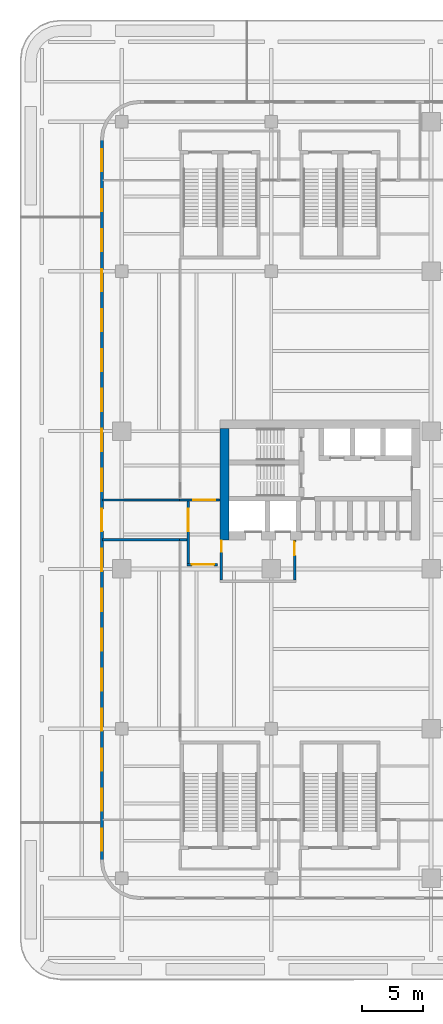
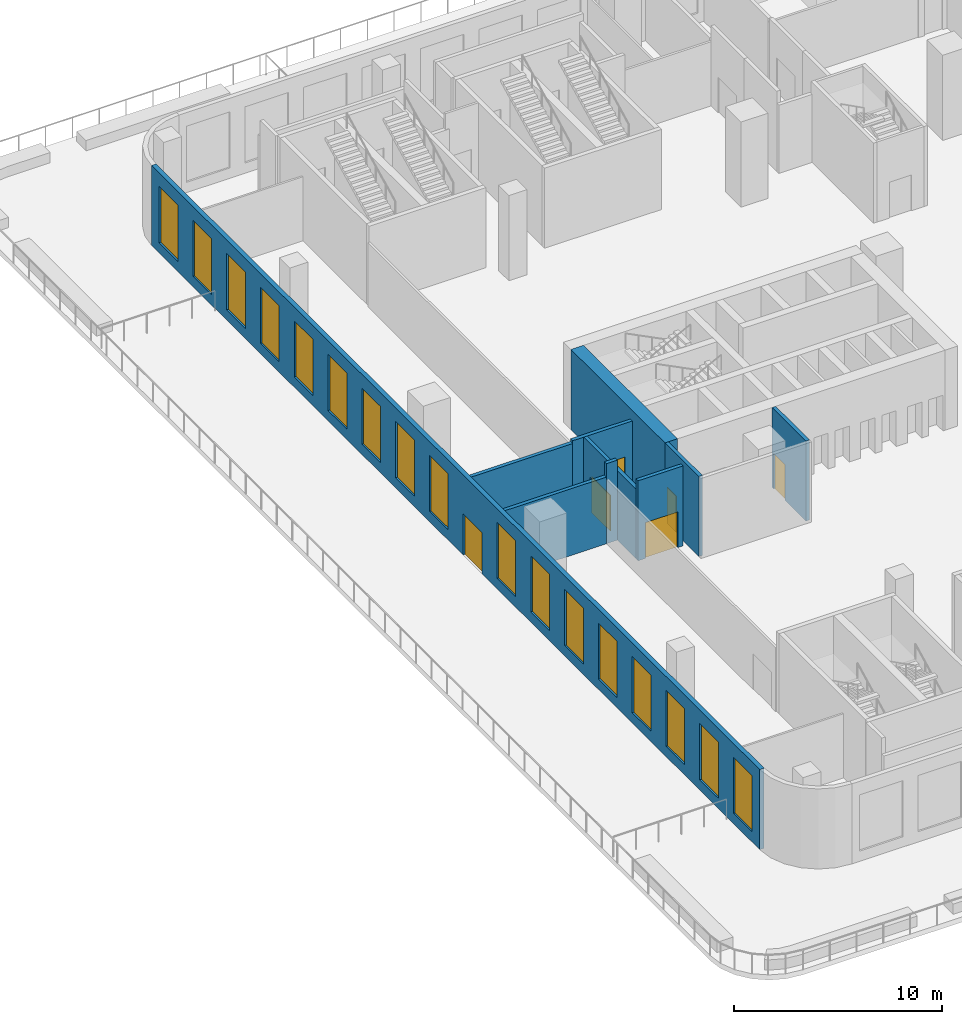
# One storey, part 8 of 17: 17 windows, 10 walls, 6 doors, 23 openings.
"""IFC4 building model written with IfcOpenShell, lengths in metres."""

from ifc_helpers import new_model, si_unit, direction, frame, frame_2d, origin, place, context, subcontext, project, spatial, rectangle, extrude, source, transform, mapped, material, layer, layer_set, type_object, element, fill, save


model = new_model("IFC4")

# Units and contexts
model_context = context("Model", 3, precision=1e-05, world=origin(), true_north=direction((0.0, 1.0)))
body_context = subcontext(model_context, "Body", "Model", "MODEL_VIEW")
ifc_project = project(units=[si_unit("LENGTHUNIT", "METRE"), si_unit("AREAUNIT", "SQUARE_METRE"), si_unit("VOLUMEUNIT", "CUBIC_METRE"), si_unit("PLANEANGLEUNIT", "RADIAN"), si_unit("MASSUNIT", "GRAM", prefix="KILO")], contexts=[model_context])

# Site, building, storey
site_placement = place(None, origin())
site = spatial("IfcSite", under=ifc_project, at=site_placement, CompositionType="ELEMENT")
building_placement = place(site_placement, origin())
building = spatial("IfcBuilding", under=site, at=building_placement, Name="Trellis Farm Tower", CompositionType="ELEMENT")
storey_placement = place(building_placement, frame((0.0, 0.0, 24.0)))
storey = spatial("IfcBuildingStorey", under=building, at=storey_placement, Name="L04", CompositionType="ELEMENT", Elevation=24.0)

# Wall
ifc_material_1 = material(Name="Concrete C80/95", Category="concrete")
ifc_layer_1 = layer(ifc_material_1, 0.699951171875)
ifc_layer_set_1 = layer_set([ifc_layer_1], Name="CORE OUTER WALL 700 CONCRETE C80/95")
wall_type_1 = type_object("IfcWallType", Name="CORE OUTER WALL 700 CONCRETE C80/95", PredefinedType="SHEAR", material=ifc_layer_set_1)
shared_shape_1 = source(origin(), body_context, "Body", "SweptSolid", [
    extrude(rectangle(XDim=9.050048828125, YDim=0.699951171875, at=frame_2d((4.52490234375, 0.0))), origin(), (0.0, 0.0, 1.0), 4.699951171875),
])
wall_1_placement = place(storey_placement, frame((-22.39990234375, 5.800048828125, 0.0), z_axis=(0.0, 0.0, 1.0), x_axis=(0.0, -1.0, 0.0)))
element("IfcWall", 1, at=wall_1_placement, inside=storey, type_object=wall_type_1, Name="Core wall", PredefinedType="SHEAR", context=body_context, shape_type="MappedRepresentation", body=[
    mapped(shared_shape_1, transform((0.0, 0.0, 0.0))),
])

# Wall, opening, door
ifc_material_2 = material(Name="Masonry blockwork", Category="masonry")
ifc_layer_2 = layer(ifc_material_2, 0.199951171875)
ifc_layer_set_2 = layer_set([ifc_layer_2], Name="FIRE LOBBY PARTITION 200 BLOCKWORK")
wall_type_2 = type_object("IfcWallType", Name="FIRE LOBBY PARTITION 200 BLOCKWORK", PredefinedType="PARTITIONING", material=ifc_layer_set_2)
shared_shape_2 = source(origin(), body_context, "Body", "SweptSolid", [
    extrude(rectangle(XDim=3.25, YDim=0.199951171875, at=frame_2d((1.625, 0.0))), origin(), (0.0, 0.0, 1.0), 4.699951171875),
])
wall_2_placement = place(storey_placement, frame((-16.699951171875, -3.25, 0.0), z_axis=(0.0, 0.0, 1.0), x_axis=(0.0, -1.0, 0.0)))
wall_2 = element("IfcWall", 2, at=wall_2_placement, inside=storey, type_object=wall_type_2, Name="Fire-fighting lobby partition", PredefinedType="PARTITIONING", context=body_context, shape_type="MappedRepresentation", body=[
    mapped(shared_shape_2, transform((0.0, 0.0, 0.0))),
])
shared_shape_3 = source(origin(), body_context, "Body", "SweptSolid", [
    extrude(rectangle(XDim=1.10009765625, YDim=2.10009765625, at=frame_2d((0.550048828125, 1.050048828125))), frame((0.0, 0.110107421875, 0.0), z_axis=(0.0, -1.0, 0.0), x_axis=(1.0, 0.0, 0.0)), (0.0, 0.0, 1.0), 0.22021484375),
])
opening_1_placement = place(wall_2_placement, frame((0.14990234375, 0.0, 0.0)))
opening_1 = element("IfcOpeningElement", 3, at=opening_1_placement, cuts=wall_2, Name="Opening DC93", PredefinedType="OPENING", context=body_context, shape_type="MappedRepresentation", body=[
    mapped(shared_shape_3, transform((0.0, 0.0, 0.0))),
])
ifc_material_3 = material(Name="Steel", Category="steel")
door_type_1 = type_object("IfcDoorType", Name="CORE FIRE DOOR 1100 X 2100", OperationType="NOTDEFINED", PredefinedType="DOOR", material=ifc_material_3)
shared_shape_4 = source(origin(), body_context, "Body", "SweptSolid", [
    extrude(rectangle(XDim=1.10009765625, YDim=2.10009765625, at=frame_2d((0.550048828125, 1.050048828125))), frame((0.0, 0.02490234375, 0.0), z_axis=(0.0, -1.0, 0.0), x_axis=(1.0, 0.0, 0.0)), (0.0, 0.0, 1.0), 0.050048828125),
])
door_1_placement = place(opening_1_placement, origin())
door_1 = element("IfcDoor", 4, at=door_1_placement, inside=storey, type_object=door_type_1, Name="Core door", OperationType="SINGLE_SWING_RIGHT", OverallHeight=2.10009765625, OverallWidth=1.10009765625, PredefinedType="DOOR", context=body_context, shape_type="MappedRepresentation", body=[
    mapped(shared_shape_4, transform((0.0, 0.0, 0.0))),
])
fill(opening_1, door_1)

wall_3_placement = place(storey_placement, frame((-22.64990234375, -3.25, 0.0), z_axis=(0.0, 0.0, 1.0), x_axis=(0.0, -1.0, 0.0)))
wall_3 = element("IfcWall", 5, at=wall_3_placement, inside=storey, type_object=wall_type_2, Name="Fire-fighting lobby partition", PredefinedType="PARTITIONING", context=body_context, shape_type="MappedRepresentation", body=[
    mapped(shared_shape_2, transform((0.0, 0.0, 0.0))),
])
shared_shape_5 = source(origin(), body_context, "Body", "SweptSolid", [
    extrude(rectangle(XDim=0.89990234375, YDim=2.10009765625, at=frame_2d((0.449951171875, 1.050048828125))), frame((0.0, 0.110107421875, 0.0), z_axis=(0.0, -1.0, 0.0), x_axis=(1.0, 0.0, 0.0)), (0.0, 0.0, 1.0), 0.22021484375),
])
opening_2_placement = place(wall_3_placement, frame((0.050048828125, 0.0, 0.0)))
opening_2 = element("IfcOpeningElement", 6, at=opening_2_placement, cuts=wall_3, Name="Opening DC94", PredefinedType="OPENING", context=body_context, shape_type="MappedRepresentation", body=[
    mapped(shared_shape_5, transform((0.0, 0.0, 0.0))),
])
door_type_2 = type_object("IfcDoorType", Name="CORE FIRE DOOR 900 X 2100", OperationType="NOTDEFINED", PredefinedType="DOOR", material=ifc_material_3)
shared_shape_6 = source(origin(), body_context, "Body", "SweptSolid", [
    extrude(rectangle(XDim=0.89990234375, YDim=2.10009765625, at=frame_2d((0.449951171875, 1.050048828125))), frame((0.0, 0.02490234375, 0.0), z_axis=(0.0, -1.0, 0.0), x_axis=(1.0, 0.0, 0.0)), (0.0, 0.0, 1.0), 0.050048828125),
])
door_2_placement = place(opening_2_placement, origin())
door_2 = element("IfcDoor", 7, at=door_2_placement, inside=storey, type_object=door_type_2, Name="Core door", OperationType="SINGLE_SWING_RIGHT", OverallHeight=2.10009765625, OverallWidth=0.89990234375, PredefinedType="DOOR", context=body_context, shape_type="MappedRepresentation", body=[
    mapped(shared_shape_6, transform((0.0, 0.0, 0.0))),
])
fill(opening_2, door_2)

# Wall, openings, door, windows
ifc_material_4 = material(Name="Sandstone faced insulated wall", Category="masonry")
ifc_layer_3 = layer(ifc_material_4, 0.25)
ifc_layer_set_3 = layer_set([ifc_layer_3], Name="STONE CLAD EXTERNAL WALL 250")
wall_type_3 = type_object("IfcWallType", Name="STONE CLAD EXTERNAL WALL 250", PredefinedType="SOLIDWALL", material=ifc_layer_set_3)
shared_shape_7 = source(origin(), body_context, "Body", "SweptSolid", [
    extrude(rectangle(XDim=58.5, YDim=0.25, at=frame_2d((29.25, 0.0))), origin(), (0.0, 0.0, 1.0), 4.699951171875),
])
wall_4_placement = place(storey_placement, frame((-32.375, 29.25, 0.0), z_axis=(0.0, 0.0, 1.0), x_axis=(0.0, -1.0, 0.0)))
wall_4 = element("IfcWall", 8, at=wall_4_placement, inside=storey, type_object=wall_type_3, Name="EW5 F03", PredefinedType="SOLIDWALL", context=body_context, shape_type="MappedRepresentation", body=[
    mapped(shared_shape_7, transform((0.0, 0.0, 0.0))),
])
shared_shape_8 = source(origin(), body_context, "Body", "SweptSolid", [
    extrude(rectangle(XDim=1.800048828125, YDim=3.300048828125, at=frame_2d((0.89990234375, 1.64990234375))), frame((0.0, 0.135009765625, 0.0), z_axis=(0.0, -1.0, 0.0), x_axis=(1.0, 0.0, 0.0)), (0.0, 0.0, 1.0), 0.27001953125),
])
opening_3_placement = place(wall_4_placement, frame((0.72509765625, 0.0, 0.60009765625)))
opening_3 = element("IfcOpeningElement", 9, at=opening_3_placement, cuts=wall_4, Name="Opening WN4", PredefinedType="OPENING", context=body_context, shape_type="MappedRepresentation", body=[
    mapped(shared_shape_8, transform((0.0, 0.0, 0.0))),
])
opening_4_placement = place(wall_4_placement, frame((3.97509765625, 0.0, 0.60009765625)))
opening_4 = element("IfcOpeningElement", 10, at=opening_4_placement, cuts=wall_4, Name="Opening WN4", PredefinedType="OPENING", context=body_context, shape_type="MappedRepresentation", body=[
    mapped(shared_shape_8, transform((0.0, 0.0, 0.0))),
])
opening_5_placement = place(wall_4_placement, frame((7.22509765625, 0.0, 0.60009765625)))
opening_5 = element("IfcOpeningElement", 11, at=opening_5_placement, cuts=wall_4, Name="Opening WN4", PredefinedType="OPENING", context=body_context, shape_type="MappedRepresentation", body=[
    mapped(shared_shape_8, transform((0.0, 0.0, 0.0))),
])
opening_6_placement = place(wall_4_placement, frame((10.47509765625, 0.0, 0.60009765625)))
opening_6 = element("IfcOpeningElement", 12, at=opening_6_placement, cuts=wall_4, Name="Opening WN4", PredefinedType="OPENING", context=body_context, shape_type="MappedRepresentation", body=[
    mapped(shared_shape_8, transform((0.0, 0.0, 0.0))),
])
opening_7_placement = place(wall_4_placement, frame((13.72509765625, 0.0, 0.60009765625)))
opening_7 = element("IfcOpeningElement", 13, at=opening_7_placement, cuts=wall_4, Name="Opening WN4", PredefinedType="OPENING", context=body_context, shape_type="MappedRepresentation", body=[
    mapped(shared_shape_8, transform((0.0, 0.0, 0.0))),
])
opening_8_placement = place(wall_4_placement, frame((16.97509765625, 0.0, 0.60009765625)))
opening_8 = element("IfcOpeningElement", 14, at=opening_8_placement, cuts=wall_4, Name="Opening WN4", PredefinedType="OPENING", context=body_context, shape_type="MappedRepresentation", body=[
    mapped(shared_shape_8, transform((0.0, 0.0, 0.0))),
])
opening_9_placement = place(wall_4_placement, frame((20.22509765625, 0.0, 0.60009765625)))
opening_9 = element("IfcOpeningElement", 15, at=opening_9_placement, cuts=wall_4, Name="Opening WN4", PredefinedType="OPENING", context=body_context, shape_type="MappedRepresentation", body=[
    mapped(shared_shape_8, transform((0.0, 0.0, 0.0))),
])
opening_10_placement = place(wall_4_placement, frame((23.47509765625, 0.0, 0.60009765625)))
opening_10 = element("IfcOpeningElement", 16, at=opening_10_placement, cuts=wall_4, Name="Opening WN4", PredefinedType="OPENING", context=body_context, shape_type="MappedRepresentation", body=[
    mapped(shared_shape_8, transform((0.0, 0.0, 0.0))),
])
opening_11_placement = place(wall_4_placement, frame((26.72509765625, 0.0, 0.60009765625)))
opening_11 = element("IfcOpeningElement", 17, at=opening_11_placement, cuts=wall_4, Name="Opening WN4", PredefinedType="OPENING", context=body_context, shape_type="MappedRepresentation", body=[
    mapped(shared_shape_8, transform((0.0, 0.0, 0.0))),
])
shared_shape_9 = source(origin(), body_context, "Body", "SweptSolid", [
    extrude(rectangle(XDim=1.800048828125, YDim=2.39990234375, at=frame_2d((0.89990234375, 1.199951171875))), frame((0.0, 0.135009765625, 0.0), z_axis=(0.0, -1.0, 0.0), x_axis=(1.0, 0.0, 0.0)), (0.0, 0.0, 1.0), 0.27001953125),
])
opening_12_placement = place(wall_4_placement, frame((29.97509765625, 0.0, 0.0)))
opening_12 = element("IfcOpeningElement", 18, at=opening_12_placement, cuts=wall_4, Name="Opening ED1", PredefinedType="OPENING", context=body_context, shape_type="MappedRepresentation", body=[
    mapped(shared_shape_9, transform((0.0, 0.0, 0.0))),
])
opening_13_placement = place(wall_4_placement, frame((33.22509765625, 0.0, 0.60009765625)))
opening_13 = element("IfcOpeningElement", 19, at=opening_13_placement, cuts=wall_4, Name="Opening WN4", PredefinedType="OPENING", context=body_context, shape_type="MappedRepresentation", body=[
    mapped(shared_shape_8, transform((0.0, 0.0, 0.0))),
])
opening_14_placement = place(wall_4_placement, frame((36.47509765625, 0.0, 0.60009765625)))
opening_14 = element("IfcOpeningElement", 20, at=opening_14_placement, cuts=wall_4, Name="Opening WN4", PredefinedType="OPENING", context=body_context, shape_type="MappedRepresentation", body=[
    mapped(shared_shape_8, transform((0.0, 0.0, 0.0))),
])
opening_15_placement = place(wall_4_placement, frame((39.72509765625, 0.0, 0.60009765625)))
opening_15 = element("IfcOpeningElement", 21, at=opening_15_placement, cuts=wall_4, Name="Opening WN4", PredefinedType="OPENING", context=body_context, shape_type="MappedRepresentation", body=[
    mapped(shared_shape_8, transform((0.0, 0.0, 0.0))),
])
opening_16_placement = place(wall_4_placement, frame((42.97509765625, 0.0, 0.60009765625)))
opening_16 = element("IfcOpeningElement", 22, at=opening_16_placement, cuts=wall_4, Name="Opening WN4", PredefinedType="OPENING", context=body_context, shape_type="MappedRepresentation", body=[
    mapped(shared_shape_8, transform((0.0, 0.0, 0.0))),
])
opening_17_placement = place(wall_4_placement, frame((46.22509765625, 0.0, 0.60009765625)))
opening_17 = element("IfcOpeningElement", 23, at=opening_17_placement, cuts=wall_4, Name="Opening WN4", PredefinedType="OPENING", context=body_context, shape_type="MappedRepresentation", body=[
    mapped(shared_shape_8, transform((0.0, 0.0, 0.0))),
])
opening_18_placement = place(wall_4_placement, frame((49.47509765625, 0.0, 0.60009765625)))
opening_18 = element("IfcOpeningElement", 24, at=opening_18_placement, cuts=wall_4, Name="Opening WN4", PredefinedType="OPENING", context=body_context, shape_type="MappedRepresentation", body=[
    mapped(shared_shape_8, transform((0.0, 0.0, 0.0))),
])
opening_19_placement = place(wall_4_placement, frame((52.72509765625, 0.0, 0.60009765625)))
opening_19 = element("IfcOpeningElement", 25, at=opening_19_placement, cuts=wall_4, Name="Opening WN4", PredefinedType="OPENING", context=body_context, shape_type="MappedRepresentation", body=[
    mapped(shared_shape_8, transform((0.0, 0.0, 0.0))),
])
opening_20_placement = place(wall_4_placement, frame((55.97509765625, 0.0, 0.60009765625)))
opening_20 = element("IfcOpeningElement", 26, at=opening_20_placement, cuts=wall_4, Name="Opening WN4", PredefinedType="OPENING", context=body_context, shape_type="MappedRepresentation", body=[
    mapped(shared_shape_8, transform((0.0, 0.0, 0.0))),
])
ifc_material_5 = material(Name="Aluminium framed glazed door", Category="aluminium")
door_type_3 = type_object("IfcDoorType", Name="BALCONY DOOR 1800x2400", OperationType="DOUBLE_DOOR_SINGLE_SWING", PredefinedType="DOOR", material=ifc_material_5)
shared_shape_10 = source(origin(), body_context, "Body", "SweptSolid", [
    extrude(rectangle(XDim=1.800048828125, YDim=2.39990234375, at=frame_2d((0.89990234375, 1.199951171875))), frame((0.0, 0.02490234375, 0.0), z_axis=(0.0, -1.0, 0.0), x_axis=(1.0, 0.0, 0.0)), (0.0, 0.0, 1.0), 0.050048828125),
])
door_3_placement = place(opening_12_placement, origin())
door_3 = element("IfcDoor", 27, at=door_3_placement, inside=storey, type_object=door_type_3, Name="Balcony door", OperationType="DOUBLE_DOOR_SINGLE_SWING", OverallHeight=2.39990234375, OverallWidth=1.800048828125, PredefinedType="DOOR", context=body_context, shape_type="MappedRepresentation", body=[
    mapped(shared_shape_10, transform((0.0, 0.0, 0.0))),
])
fill(opening_12, door_3)
ifc_material_6 = material(Name="Clear insulated glass", Category="glass")
window_type = type_object("IfcWindowType", Name="PODIUM WINDOW 1800x3300", PartitioningType="SINGLE_PANEL", PredefinedType="WINDOW", material=ifc_material_6)
shared_shape_11 = source(origin(), body_context, "Body", "SweptSolid", [
    extrude(rectangle(XDim=1.800048828125, YDim=3.300048828125, at=frame_2d((0.89990234375, 1.64990234375))), frame((0.0, 0.030029296875, 0.0), z_axis=(0.0, -1.0, 0.0), x_axis=(1.0, 0.0, 0.0)), (0.0, 0.0, 1.0), 0.06005859375),
])
window_1_placement = place(opening_3_placement, origin())
window_1 = element("IfcWindow", 28, at=window_1_placement, inside=storey, type_object=window_type, Name="WN4 036", OverallHeight=3.300048828125, OverallWidth=1.800048828125, PartitioningType="SINGLE_PANEL", PredefinedType="WINDOW", context=body_context, shape_type="MappedRepresentation", body=[
    mapped(shared_shape_11, transform((0.0, 0.0, 0.0))),
])
fill(opening_3, window_1)
window_2_placement = place(opening_4_placement, origin())
window_2 = element("IfcWindow", 29, at=window_2_placement, inside=storey, type_object=window_type, Name="WN4 037", OverallHeight=3.300048828125, OverallWidth=1.800048828125, PartitioningType="SINGLE_PANEL", PredefinedType="WINDOW", context=body_context, shape_type="MappedRepresentation", body=[
    mapped(shared_shape_11, transform((0.0, 0.0, 0.0))),
])
fill(opening_4, window_2)
window_3_placement = place(opening_5_placement, origin())
window_3 = element("IfcWindow", 30, at=window_3_placement, inside=storey, type_object=window_type, Name="WN4 038", OverallHeight=3.300048828125, OverallWidth=1.800048828125, PartitioningType="SINGLE_PANEL", PredefinedType="WINDOW", context=body_context, shape_type="MappedRepresentation", body=[
    mapped(shared_shape_11, transform((0.0, 0.0, 0.0))),
])
fill(opening_5, window_3)
window_4_placement = place(opening_6_placement, origin())
window_4 = element("IfcWindow", 31, at=window_4_placement, inside=storey, type_object=window_type, Name="WN4 039", OverallHeight=3.300048828125, OverallWidth=1.800048828125, PartitioningType="SINGLE_PANEL", PredefinedType="WINDOW", context=body_context, shape_type="MappedRepresentation", body=[
    mapped(shared_shape_11, transform((0.0, 0.0, 0.0))),
])
fill(opening_6, window_4)
window_5_placement = place(opening_7_placement, origin())
window_5 = element("IfcWindow", 32, at=window_5_placement, inside=storey, type_object=window_type, Name="WN4 040", OverallHeight=3.300048828125, OverallWidth=1.800048828125, PartitioningType="SINGLE_PANEL", PredefinedType="WINDOW", context=body_context, shape_type="MappedRepresentation", body=[
    mapped(shared_shape_11, transform((0.0, 0.0, 0.0))),
])
fill(opening_7, window_5)
window_6_placement = place(opening_8_placement, origin())
window_6 = element("IfcWindow", 33, at=window_6_placement, inside=storey, type_object=window_type, Name="WN4 041", OverallHeight=3.300048828125, OverallWidth=1.800048828125, PartitioningType="SINGLE_PANEL", PredefinedType="WINDOW", context=body_context, shape_type="MappedRepresentation", body=[
    mapped(shared_shape_11, transform((0.0, 0.0, 0.0))),
])
fill(opening_8, window_6)
window_7_placement = place(opening_9_placement, origin())
window_7 = element("IfcWindow", 34, at=window_7_placement, inside=storey, type_object=window_type, Name="WN4 042", OverallHeight=3.300048828125, OverallWidth=1.800048828125, PartitioningType="SINGLE_PANEL", PredefinedType="WINDOW", context=body_context, shape_type="MappedRepresentation", body=[
    mapped(shared_shape_11, transform((0.0, 0.0, 0.0))),
])
fill(opening_9, window_7)
window_8_placement = place(opening_10_placement, origin())
window_8 = element("IfcWindow", 35, at=window_8_placement, inside=storey, type_object=window_type, Name="WN4 043", OverallHeight=3.300048828125, OverallWidth=1.800048828125, PartitioningType="SINGLE_PANEL", PredefinedType="WINDOW", context=body_context, shape_type="MappedRepresentation", body=[
    mapped(shared_shape_11, transform((0.0, 0.0, 0.0))),
])
fill(opening_10, window_8)
window_9_placement = place(opening_11_placement, origin())
window_9 = element("IfcWindow", 36, at=window_9_placement, inside=storey, type_object=window_type, Name="WN4 044", OverallHeight=3.300048828125, OverallWidth=1.800048828125, PartitioningType="SINGLE_PANEL", PredefinedType="WINDOW", context=body_context, shape_type="MappedRepresentation", body=[
    mapped(shared_shape_11, transform((0.0, 0.0, 0.0))),
])
fill(opening_11, window_9)
window_10_placement = place(opening_13_placement, origin())
window_10 = element("IfcWindow", 37, at=window_10_placement, inside=storey, type_object=window_type, Name="WN4 045", OverallHeight=3.300048828125, OverallWidth=1.800048828125, PartitioningType="SINGLE_PANEL", PredefinedType="WINDOW", context=body_context, shape_type="MappedRepresentation", body=[
    mapped(shared_shape_11, transform((0.0, 0.0, 0.0))),
])
fill(opening_13, window_10)
window_11_placement = place(opening_14_placement, origin())
window_11 = element("IfcWindow", 38, at=window_11_placement, inside=storey, type_object=window_type, Name="WN4 046", OverallHeight=3.300048828125, OverallWidth=1.800048828125, PartitioningType="SINGLE_PANEL", PredefinedType="WINDOW", context=body_context, shape_type="MappedRepresentation", body=[
    mapped(shared_shape_11, transform((0.0, 0.0, 0.0))),
])
fill(opening_14, window_11)
window_12_placement = place(opening_15_placement, origin())
window_12 = element("IfcWindow", 39, at=window_12_placement, inside=storey, type_object=window_type, Name="WN4 047", OverallHeight=3.300048828125, OverallWidth=1.800048828125, PartitioningType="SINGLE_PANEL", PredefinedType="WINDOW", context=body_context, shape_type="MappedRepresentation", body=[
    mapped(shared_shape_11, transform((0.0, 0.0, 0.0))),
])
fill(opening_15, window_12)
window_13_placement = place(opening_16_placement, origin())
window_13 = element("IfcWindow", 40, at=window_13_placement, inside=storey, type_object=window_type, Name="WN4 048", OverallHeight=3.300048828125, OverallWidth=1.800048828125, PartitioningType="SINGLE_PANEL", PredefinedType="WINDOW", context=body_context, shape_type="MappedRepresentation", body=[
    mapped(shared_shape_11, transform((0.0, 0.0, 0.0))),
])
fill(opening_16, window_13)
window_14_placement = place(opening_17_placement, origin())
window_14 = element("IfcWindow", 41, at=window_14_placement, inside=storey, type_object=window_type, Name="WN4 049", OverallHeight=3.300048828125, OverallWidth=1.800048828125, PartitioningType="SINGLE_PANEL", PredefinedType="WINDOW", context=body_context, shape_type="MappedRepresentation", body=[
    mapped(shared_shape_11, transform((0.0, 0.0, 0.0))),
])
fill(opening_17, window_14)
window_15_placement = place(opening_18_placement, origin())
window_15 = element("IfcWindow", 42, at=window_15_placement, inside=storey, type_object=window_type, Name="WN4 050", OverallHeight=3.300048828125, OverallWidth=1.800048828125, PartitioningType="SINGLE_PANEL", PredefinedType="WINDOW", context=body_context, shape_type="MappedRepresentation", body=[
    mapped(shared_shape_11, transform((0.0, 0.0, 0.0))),
])
fill(opening_18, window_15)
window_16_placement = place(opening_19_placement, origin())
window_16 = element("IfcWindow", 43, at=window_16_placement, inside=storey, type_object=window_type, Name="WN4 051", OverallHeight=3.300048828125, OverallWidth=1.800048828125, PartitioningType="SINGLE_PANEL", PredefinedType="WINDOW", context=body_context, shape_type="MappedRepresentation", body=[
    mapped(shared_shape_11, transform((0.0, 0.0, 0.0))),
])
fill(opening_19, window_16)
window_17_placement = place(opening_20_placement, origin())
window_17 = element("IfcWindow", 44, at=window_17_placement, inside=storey, type_object=window_type, Name="WN4 052", OverallHeight=3.300048828125, OverallWidth=1.800048828125, PartitioningType="SINGLE_PANEL", PredefinedType="WINDOW", context=body_context, shape_type="MappedRepresentation", body=[
    mapped(shared_shape_11, transform((0.0, 0.0, 0.0))),
])
fill(opening_20, window_17)

# Wall, opening, door
ifc_material_7 = material(Name="Lightweight blockwork, plastered", Category="masonry")
ifc_layer_4 = layer(ifc_material_7, 0.199951171875)
ifc_layer_set_4 = layer_set([ifc_layer_4], Name="BLOCK WALL 200 EI 120")
wall_type_4 = type_object("IfcWallType", Name="BLOCK WALL 200 EI 120", PredefinedType="PARTITIONING", material=ifc_layer_set_4)
shared_shape_12 = source(origin(), body_context, "Body", "SweptSolid", [
    extrude(rectangle(XDim=5.0498046875, YDim=0.199951171875, at=frame_2d((2.52490234375, 0.0))), origin(), (0.0, 0.0, 1.0), 4.077392578125),
])
wall_5_placement = place(storey_placement, frame((-25.35009765625, -5.14990234375, 0.0), z_axis=(0.0, 0.0, 1.0), x_axis=(0.0, 1.0, 0.0)))
wall_5 = element("IfcWall", 45, at=wall_5_placement, inside=storey, type_object=wall_type_4, Name="Partition PW3", PredefinedType="PARTITIONING", context=body_context, shape_type="MappedRepresentation", body=[
    mapped(shared_shape_12, transform((0.0, 0.0, 0.0))),
])
shared_shape_13 = source(origin(), body_context, "Body", "SweptSolid", [
    extrude(rectangle(XDim=1.800048828125, YDim=2.10009765625, at=frame_2d((0.89990234375, 1.050048828125))), frame((0.0, 0.110107421875, 0.0), z_axis=(0.0, -1.0, 0.0), x_axis=(1.0, 0.0, 0.0)), (0.0, 0.0, 1.0), 0.22021484375),
])
opening_21_placement = place(wall_5_placement, frame((2.625, 0.0, 0.0)))
opening_21 = element("IfcOpeningElement", 46, at=opening_21_placement, cuts=wall_5, Name="Opening D404", PredefinedType="OPENING", context=body_context, shape_type="MappedRepresentation", body=[
    mapped(shared_shape_13, transform((0.0, 0.0, 0.0))),
])
ifc_material_8 = material(Name="Fire-rated timber door leaf in a hollow metal frame", Category="wood")
door_type_4 = type_object("IfcDoorType", Name="DOOR PAIR 1800x2100 FD60", OperationType="NOTDEFINED", PredefinedType="DOOR", material=ifc_material_8)
shared_shape_14 = source(origin(), body_context, "Body", "SweptSolid", [
    extrude(rectangle(XDim=1.800048828125, YDim=2.10009765625, at=frame_2d((0.89990234375, 1.050048828125))), frame((0.0, 0.02490234375, 0.0), z_axis=(0.0, -1.0, 0.0), x_axis=(1.0, 0.0, 0.0)), (0.0, 0.0, 1.0), 0.050048828125),
])
door_4_placement = place(opening_21_placement, origin())
door_4 = element("IfcDoor", 47, at=door_4_placement, inside=storey, type_object=door_type_4, Name="Door D404", OperationType="DOUBLE_DOOR_SINGLE_SWING", OverallHeight=2.10009765625, OverallWidth=1.800048828125, PredefinedType="DOOR", context=body_context, shape_type="MappedRepresentation", body=[
    mapped(shared_shape_14, transform((0.0, 0.0, 0.0))),
])
fill(opening_21, door_4)

shared_shape_15 = source(origin(), body_context, "Body", "SweptSolid", [
    extrude(rectangle(XDim=3.3125, YDim=0.199951171875, at=frame_2d((1.65625, 0.0))), origin(), (0.0, 0.0, 1.0), 4.077392578125),
])
wall_6_placement = place(storey_placement, frame((-26.0625, 0.0, 0.0), z_axis=(0.0, 0.0, 1.0), x_axis=(1.0, 0.0, 0.0)))
wall_6 = element("IfcWall", 48, at=wall_6_placement, inside=storey, type_object=wall_type_4, Name="Partition PW3", PredefinedType="PARTITIONING", context=body_context, shape_type="MappedRepresentation", body=[
    mapped(shared_shape_15, transform((0.0, 0.0, 0.0))),
])
opening_22_placement = place(wall_6_placement, frame((1.112548828125, 0.0, 0.0)))
opening_22 = element("IfcOpeningElement", 49, at=opening_22_placement, cuts=wall_6, Name="Opening D405", PredefinedType="OPENING", context=body_context, shape_type="MappedRepresentation", body=[
    mapped(shared_shape_13, transform((0.0, 0.0, 0.0))),
])
door_5_placement = place(opening_22_placement, origin())
door_5 = element("IfcDoor", 50, at=door_5_placement, inside=storey, type_object=door_type_4, Name="Door D405", OperationType="DOUBLE_DOOR_SINGLE_SWING", OverallHeight=2.10009765625, OverallWidth=1.800048828125, PredefinedType="DOOR", context=body_context, shape_type="MappedRepresentation", body=[
    mapped(shared_shape_14, transform((0.0, 0.0, 0.0))),
])
fill(opening_22, door_5)

# Walls
shared_shape_16 = source(origin(), body_context, "Body", "SweptSolid", [
    extrude(rectangle(XDim=6.362548828125, YDim=0.199951171875, at=frame_2d((3.18115234375, 0.0))), origin(), (0.0, 0.0, 1.0), 3.917724609375),
])
for number, where, z_axis, x_axis, name in (
    (51, (-25.9375, -3.25, 0.0), (0.0, 0.0, 1.0), (-1.0, 0.0, 0.0), "Partition PW3"),
    (52, (-32.300048828125, 0.0, 0.0), (0.0, 0.0, 1.0), (1.0, 0.0, 0.0), "Partition PW3"),
):
    element("IfcWall", number, at=place(storey_placement, frame(where, z_axis=z_axis, x_axis=x_axis)), inside=storey, type_object=wall_type_4, Name=name, PredefinedType="PARTITIONING", context=body_context, shape_type="MappedRepresentation", body=[
        mapped(shared_shape_16, transform((0.0, 0.0, 0.0))),
    ])
shared_shape_17 = source(origin(), body_context, "Body", "SweptSolid", [
    extrude(rectangle(XDim=0.612548828125, YDim=0.199951171875, at=frame_2d((0.30615234375, 0.0))), origin(), (0.0, 0.0, 1.0), 4.699951171875),
])
wall_7_placement = place(storey_placement, frame((-26.0625, -3.25, 0.0), z_axis=(0.0, 0.0, 1.0), x_axis=(1.0, 0.0, 0.0)))
element("IfcWall", 53, at=wall_7_placement, inside=storey, type_object=wall_type_4, Name="Partition PW3", PredefinedType="PARTITIONING", context=body_context, shape_type="MappedRepresentation", body=[
    mapped(shared_shape_17, transform((0.0, 0.0, 0.0))),
])

# Wall, opening, door
shared_shape_18 = source(origin(), body_context, "Body", "SweptSolid", [
    extrude(rectangle(XDim=2.5, YDim=0.199951171875, at=frame_2d((1.25, 0.0))), origin(), (0.0, 0.0, 1.0), 4.699951171875),
])
wall_8_placement = place(storey_placement, frame((-22.949951171875, -5.25, 0.0), z_axis=(0.0, 0.0, 1.0), x_axis=(-1.0, 0.0, 0.0)))
wall_8 = element("IfcWall", 54, at=wall_8_placement, inside=storey, type_object=wall_type_4, Name="Partition PW3", PredefinedType="PARTITIONING", context=body_context, shape_type="MappedRepresentation", body=[
    mapped(shared_shape_18, transform((0.0, 0.0, 0.0))),
])
opening_23_placement = place(wall_8_placement, frame((0.300048828125, 0.0, 0.0)))
opening_23 = element("IfcOpeningElement", 55, at=opening_23_placement, cuts=wall_8, Name="Opening D403", PredefinedType="OPENING", context=body_context, shape_type="MappedRepresentation", body=[
    mapped(shared_shape_13, transform((0.0, 0.0, 0.0))),
])
door_6_placement = place(opening_23_placement, origin())
door_6 = element("IfcDoor", 56, at=door_6_placement, inside=storey, type_object=door_type_4, Name="Door D403", OperationType="DOUBLE_DOOR_SINGLE_SWING", OverallHeight=2.10009765625, OverallWidth=1.800048828125, PredefinedType="DOOR", context=body_context, shape_type="MappedRepresentation", body=[
    mapped(shared_shape_14, transform((0.0, 0.0, 0.0))),
])
fill(opening_23, door_6)

save(model, "model.ifc")
